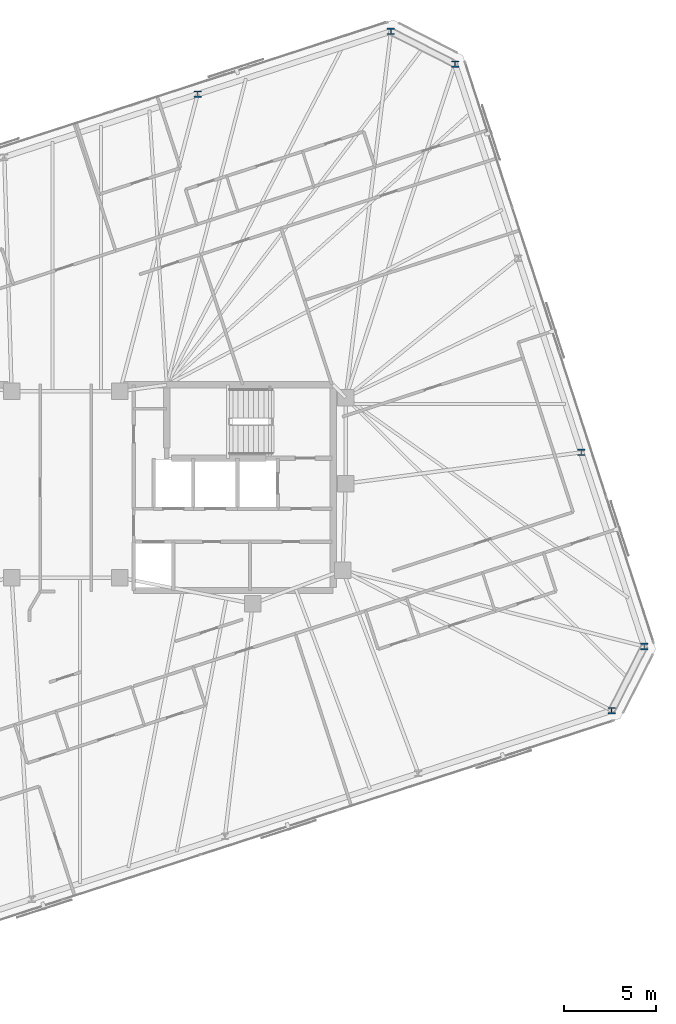
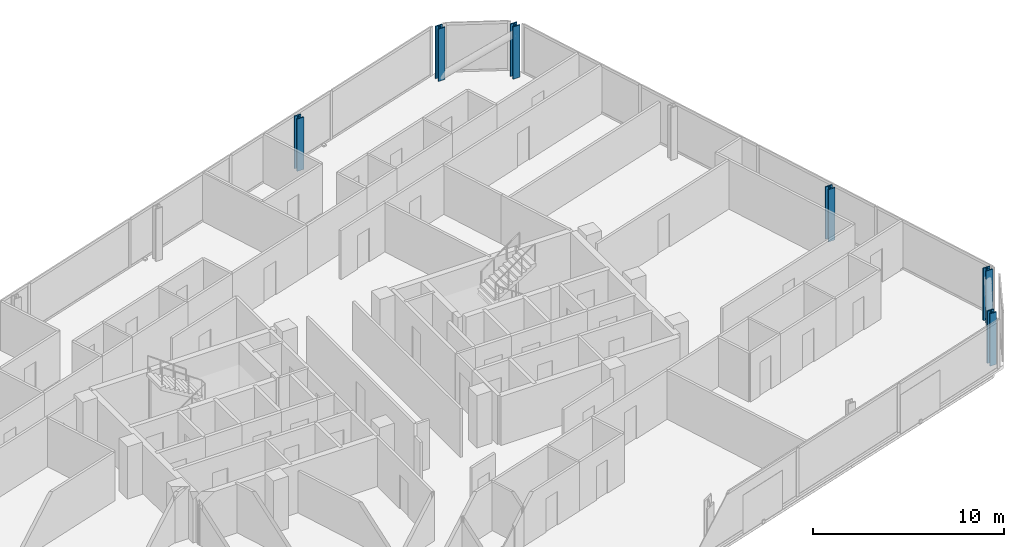
# One storey, part 4 of 20: 6 columns.
"""IFC4 building model written with IfcOpenShell, lengths in metres."""

from ifc_helpers import new_model, si_unit, direction, frame, origin, origin_2d, place, context, subcontext, project, spatial, i_section, extrude, material, material_profile, profile_set, type_object, element, save


model = new_model("IFC4")

# Units and contexts
model_context = context("Model", 3, precision=1e-05, world=origin(), true_north=direction((0.0, 1.0)))
body_context = subcontext(model_context, "Body", "Model", "MODEL_VIEW")
ifc_project = project(units=[si_unit("LENGTHUNIT", "METRE"), si_unit("AREAUNIT", "SQUARE_METRE"), si_unit("VOLUMEUNIT", "CUBIC_METRE"), si_unit("PLANEANGLEUNIT", "RADIAN"), si_unit("MASSUNIT", "GRAM", prefix="KILO")], contexts=[model_context])

# Site, building, storey
site_placement = place(None, origin())
site = spatial("IfcSite", under=ifc_project, at=site_placement, CompositionType="ELEMENT")
building_placement = place(site_placement, origin())
building = spatial("IfcBuilding", under=site, at=building_placement, Name="Menara Jurai Vektor", CompositionType="ELEMENT")
storey_placement = place(building_placement, frame((0.0, 0.0, 217.60009765625)))
storey = spatial("IfcBuildingStorey", under=building, at=storey_placement, Name="L57", CompositionType="ELEMENT", Elevation=217.60009765625)

# Columns
ifc_material = material(Name="Steel S460", Category="steel")
ifc_material_profile = material_profile(ifc_material, i_section(OverallWidth=0.405029296875, OverallDepth=0.35498046875, WebThickness=0.0419921875, FlangeThickness=0.068115234375, FilletRadius=0.014892578125, at=origin_2d()), Name="HD 400x551")
ifc_profile_set = profile_set([ifc_material_profile], Name="Steel S460")
column_type = type_object("IfcColumnType", Name="STR-EXO-BLK4", PredefinedType="COLUMN", material=ifc_profile_set)
for number, where, z_axis, x_axis, name in (
    (1, (29.733642578125, -12.14501953125, 0.0), (0.0, 0.0, 1.0), (1.0, 0.0, 0.0), "Exoskeleton Column BLK4-S6 L57"),
    (2, (31.513427734375, -8.652099609375, 0.0), (0.0, 0.0, 1.0), (1.0, 0.0, 0.0), "Exoskeleton Column BLK4-E1 L57"),
    (3, (28.07763671875, 1.92236328125, 0.0), (0.0, 0.0, 1.0), (1.0, 0.0, 0.0), "Exoskeleton Column BLK4-E2 L57"),
    (4, (21.2060546875, 23.071044921875, 0.0), (0.0, 0.0, 1.0), (1.0, 0.0, 0.0), "Exoskeleton Column BLK4-E4 L57"),
    (5, (17.712890625, 24.85107421875, 0.0), (0.0, 0.0, 1.0), (1.0, 0.0, 0.0), "Exoskeleton Column BLK4-N1 L57"),
    (6, (7.18359375, 21.4296875, 0.0), (0.0, 0.0, 1.0), (1.0, 0.0, 0.0), "Exoskeleton Column BLK4-N2 L57"),
):
    element("IfcColumn", number, at=place(storey_placement, frame(where, z_axis=z_axis, x_axis=x_axis)), inside=storey, type_object=column_type, Name=name, PredefinedType="COLUMN", context=body_context, shape_type="SweptSolid", body=[
        extrude(i_section(OverallWidth=0.405029296875, OverallDepth=0.35498046875, WebThickness=0.0419921875, FlangeThickness=0.068115234375, FilletRadius=0.014892578125, at=origin_2d()), origin(), (0.0, 0.0, 1.0), 3.349853515625),
    ])

save(model, "model.ifc")
